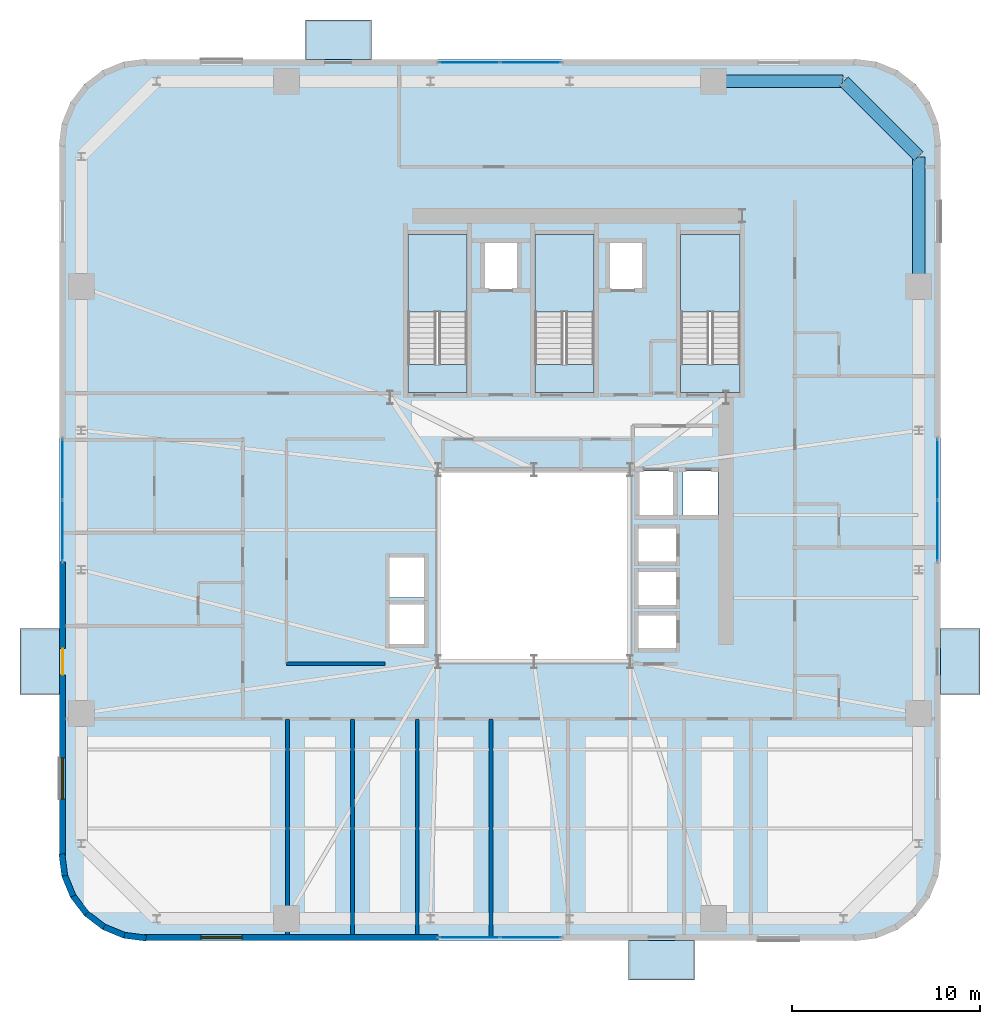
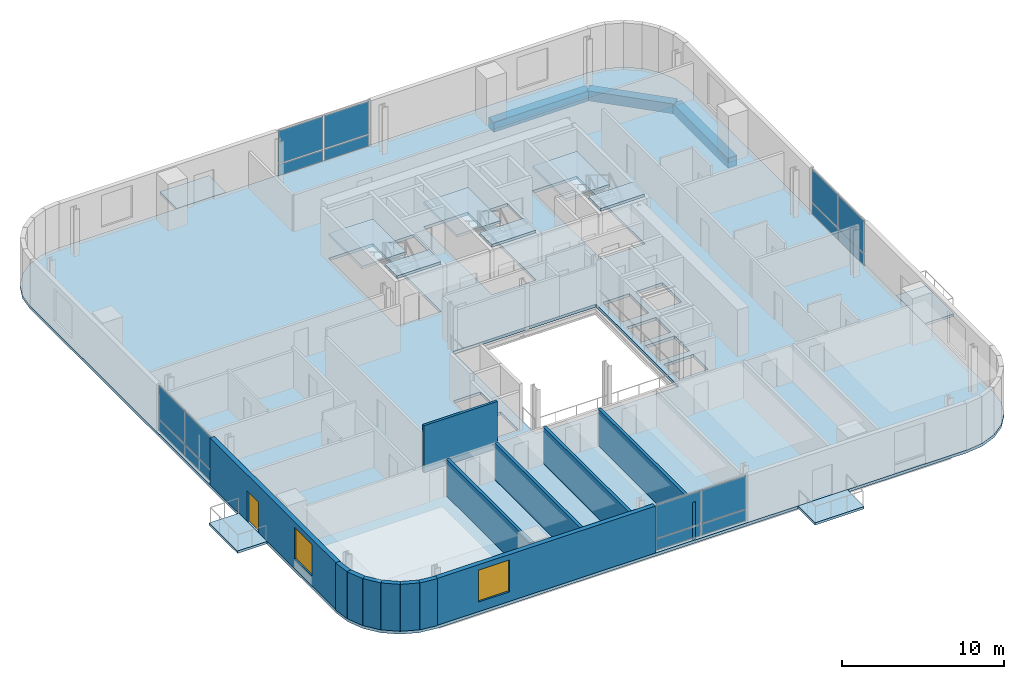
# One storey, part 7 of 16: 16 plates, 13 walls, 11 slabs, 3 beams, 2 windows, 1 door, 3 openings, 7 elements without a shape of their own.
"""IFC4 building model written with IfcOpenShell, lengths in metres."""

import ifcopenshell
import ifcopenshell.guid

model = None  # the IFC model being written
_history = None  # IfcOwnerHistory: only IFC2X3 demands one
_inside = {}  # id of a spatial element -> (the spatial element, [elements in it])
_under = {}  # id of a project, library or spatial element -> (it, [spatial elements below it])
_declared = {}  # id of a project -> (the project, [libraries it declares])
_typed = {}  # id of a type object -> (the type object, [elements of that type])
_made_of = {}  # id of a material, layer set ... -> (it, [elements and type objects made of it])


def new_model(schema):
    """Start an empty IFC model of exactly this schema.

    Asked for "IFC4X3", IfcOpenShell would pick the latest addendum, in which some entities
    have other attributes; the version numbers below select the first issue.
    IFC2X3 requires an IfcOwnerHistory on every rooted entity: one is made here for all.
    """
    global model, _history
    if schema == "IFC4X3":
        model = ifcopenshell.file(schema_version=(4, 3, 0, 0))
    else:
        model = ifcopenshell.file(schema=schema)
    _inside.clear()
    _under.clear()
    _declared.clear()
    _typed.clear()
    _made_of.clear()
    _history = None
    if model.schema == "IFC2X3":
        org = make("IfcOrganization", Name="unknown")
        user = make(
            "IfcPersonAndOrganization",
            ThePerson=make("IfcPerson", FamilyName="unknown"),
            TheOrganization=org,
        )
        app = make(
            "IfcApplication",
            ApplicationDeveloper=org,
            Version="unknown",
            ApplicationFullName="unknown",
            ApplicationIdentifier="unknown",
        )
        _history = make(
            "IfcOwnerHistory",
            OwningUser=user,
            OwningApplication=app,
            ChangeAction="ADDED",
            CreationDate=0,
        )
    return model


def make(cls, **values):
    """One entity of the class cls with the attributes given. An attribute that is None is left unset."""
    return model.create_entity(
        cls, **{name: value for name, value in values.items() if value is not None}
    )


def rooted(cls, **values):
    """An entity with a GlobalId (a new one), such as an element, a storey or a relation."""
    return make(cls, GlobalId=ifcopenshell.guid.new(), OwnerHistory=_history, **values)


def si_unit(unit_type, name, prefix=None):
    """IfcSIUnit, for example si_unit("LENGTHUNIT", "METRE", prefix="MILLI")."""
    return make("IfcSIUnit", UnitType=unit_type, Prefix=prefix, Name=name)


def assignment(units):
    """IfcUnitAssignment: the units of a project."""
    return None if units is None else make("IfcUnitAssignment", Units=units)


def point(xyz):
    """IfcCartesianPoint."""
    return None if xyz is None else make("IfcCartesianPoint", Coordinates=xyz)


def direction(xyz):
    """IfcDirection."""
    return None if xyz is None else make("IfcDirection", DirectionRatios=xyz)


def frame(location, z_axis=None, x_axis=None):
    """IfcAxis2Placement3D, a coordinate frame: its origin and axes. An axis left out is left unset."""
    return make(
        "IfcAxis2Placement3D",
        Location=point(location),
        Axis=direction(z_axis),
        RefDirection=direction(x_axis),
    )


def frame_2d(location, x_axis=None):
    """IfcAxis2Placement2D, a coordinate frame in the plane: its origin and x axis."""
    return make(
        "IfcAxis2Placement2D", Location=point(location), RefDirection=direction(x_axis)
    )


def origin():
    """The frame at (0, 0, 0) with its axes left unset."""
    return frame((0.0, 0.0, 0.0))


def origin_2d():
    """The frame at (0, 0) in the plane with its x axis left unset."""
    return frame_2d((0.0, 0.0))


def place(relative_to, where):
    """IfcLocalPlacement: puts the frame where relative to a parent placement (None: the world)."""
    return make(
        "IfcLocalPlacement", PlacementRelTo=relative_to, RelativePlacement=where
    )


def context(
    kind, dimensions, precision=None, world=None, true_north=None, identifier=None
):
    """IfcGeometricRepresentationContext, for example the 3D "Model" context."""
    return make(
        "IfcGeometricRepresentationContext",
        ContextIdentifier=identifier,
        ContextType=kind,
        CoordinateSpaceDimension=dimensions,
        Precision=precision,
        WorldCoordinateSystem=world,
        TrueNorth=true_north,
    )


def subcontext(parent, identifier, kind, view, scale=None):
    """IfcGeometricRepresentationSubContext, for example "Body" below "Model"."""
    return make(
        "IfcGeometricRepresentationSubContext",
        ContextIdentifier=identifier,
        ContextType=kind,
        ParentContext=parent,
        TargetScale=scale,
        TargetView=view,
    )


def project(units=None, contexts=None):
    """IfcProject with its units and contexts."""
    return rooted(
        "IfcProject",
        Name="project",
        RepresentationContexts=contexts,
        UnitsInContext=assignment(units),
    )


def spatial(cls, under=None, at=None, **own):
    """A site, building, storey or space (cls), placed at a placement, below another one or the project."""
    s = rooted(cls, ObjectPlacement=at, **own)
    if under is not None:
        _under.setdefault(under.id(), (under, []))[1].append(s)
    return s


def polyline(points):
    """IfcPolyline through the points."""
    return make("IfcPolyline", Points=[point(p) for p in points])


def profile(cls, at=None, kind="AREA", **sizes):
    """A parametric profile (cls). Its sizes go by their IFC names, for example OverallWidth=200.0."""
    return make(cls, ProfileType=kind, Position=at, **sizes)


def rectangle(**sizes):
    """IfcRectangleProfileDef."""
    return profile("IfcRectangleProfileDef", **sizes)


def outline(outer, holes=None, kind="AREA"):
    """IfcArbitraryClosedProfileDef: a profile drawn as a closed curve; with holes, ...WithVoids."""
    if holes is None:
        return make("IfcArbitraryClosedProfileDef", ProfileType=kind, OuterCurve=outer)
    return make(
        "IfcArbitraryProfileDefWithVoids",
        ProfileType=kind,
        OuterCurve=outer,
        InnerCurves=holes,
    )


def extrude(swept, where, along, depth):
    """IfcExtrudedAreaSolid: the profile swept, set in the frame where, extruded along a direction by depth."""
    return make(
        "IfcExtrudedAreaSolid",
        SweptArea=swept,
        Position=where,
        ExtrudedDirection=direction(along),
        Depth=depth,
    )


def shape(context_of_items, identifier, shape_type, items):
    """IfcShapeRepresentation: the items that make up one representation, for example the "Body"."""
    return make(
        "IfcShapeRepresentation",
        ContextOfItems=context_of_items,
        RepresentationIdentifier=identifier,
        RepresentationType=shape_type,
        Items=items,
    )


def source(mapping_origin, context_of_items, identifier, shape_type, items):
    """IfcRepresentationMap: a shape defined once, which mapped items show again and again."""
    return make(
        "IfcRepresentationMap",
        MappingOrigin=mapping_origin,
        MappedRepresentation=shape(context_of_items, identifier, shape_type, items),
    )


def transform(
    local_origin,
    x_axis=None,
    y_axis=None,
    z_axis=None,
    scale=None,
    scale2=None,
    scale3=None,
    uniform=True,
):
    """IfcCartesianTransformationOperator3D, or its non-uniform kind. x_axis, y_axis, z_axis: its Axis1, 2, 3."""
    if uniform:
        return make(
            "IfcCartesianTransformationOperator3D",
            Axis1=direction(x_axis),
            Axis2=direction(y_axis),
            LocalOrigin=point(local_origin),
            Scale=scale,
            Axis3=direction(z_axis),
        )
    return make(
        "IfcCartesianTransformationOperator3DnonUniform",
        Axis1=direction(x_axis),
        Axis2=direction(y_axis),
        LocalOrigin=point(local_origin),
        Scale=scale,
        Axis3=direction(z_axis),
        Scale2=scale2,
        Scale3=scale3,
    )


def mapped(mapping_source, mapping_target):
    """IfcMappedItem: shows the shape of a source again, moved by a transform."""
    return make(
        "IfcMappedItem", MappingSource=mapping_source, MappingTarget=mapping_target
    )


def material(Name=None, Category=None):
    """IfcMaterial."""
    return make("IfcMaterial", Name=Name, Category=Category)


def layer(
    of_material, thickness, ventilated=None, Name=None, Category=None, Priority=None
):
    """IfcMaterialLayer: one layer of a wall or slab, of a material (None: an air gap)."""
    return make(
        "IfcMaterialLayer",
        Material=of_material,
        LayerThickness=thickness,
        IsVentilated=ventilated,
        Name=Name,
        Category=Category,
        Priority=Priority,
    )


def layer_set(layers, Name=None):
    """IfcMaterialLayerSet."""
    return make("IfcMaterialLayerSet", MaterialLayers=layers, LayerSetName=Name)


def material_profile(
    of_material, cross_section, Name=None, Category=None, Priority=None
):
    """IfcMaterialProfile: a cross section and its material."""
    return make(
        "IfcMaterialProfile",
        Name=Name,
        Material=of_material,
        Profile=cross_section,
        Priority=Priority,
        Category=Category,
    )


def profile_set(profiles, Name=None, composite=None):
    """IfcMaterialProfileSet."""
    return make(
        "IfcMaterialProfileSet",
        Name=Name,
        MaterialProfiles=profiles,
        CompositeProfile=composite,
    )


def made_of(thing, what):
    """Note that an element or type object is made of a material, layer set ...; save() writes the relation."""
    if what is not None:
        _made_of.setdefault(what.id(), (what, []))[1].append(thing)
    return thing


def type_object(cls, material=None, **own):
    """A type object (cls), such as IfcWallType, which elements share."""
    return made_of(rooted(cls, **own), material)


def element(
    cls,
    number,
    at=None,
    inside=None,
    cuts=None,
    type_object=None,
    material=None,
    context=None,
    identifier="Body",
    shape_type=None,
    held_by="IfcProductDefinitionShape",
    body=None,
    shapes=None,
    **own,
):
    """One element of the class cls, such as IfcWall. Its Tag is "e" and its number.

    at: its placement. inside: the storey or other place that contains it. cuts: it is an
    opening in that element (IfcRelVoidsElement). A single representation is given by context,
    identifier, shape_type and body (its items); several are given by shapes. held_by: the class
    of the entity that holds the representations. save() writes the other relations.
    """
    e = rooted(cls, Tag="e%d" % number, ObjectPlacement=at, **own)
    if body is not None:
        shapes = [shape(context, identifier, shape_type, body)]
    if shapes is not None:
        e.Representation = make(held_by, Representations=shapes)
    if inside is not None:
        _inside.setdefault(inside.id(), (inside, []))[1].append(e)
    if cuts is not None:
        rooted(
            "IfcRelVoidsElement", RelatingBuildingElement=cuts, RelatedOpeningElement=e
        )
    if type_object is not None:
        _typed.setdefault(type_object.id(), (type_object, []))[1].append(e)
    return made_of(e, material)


def fill(opening, filler):
    """IfcRelFillsElement: the door or window that sits in an opening."""
    return rooted(
        "IfcRelFillsElement",
        RelatingOpeningElement=opening,
        RelatedBuildingElement=filler,
    )


def aggregate(whole, parts):
    """IfcRelAggregates: a whole, such as a stair, and the parts it consists of."""
    return rooted("IfcRelAggregates", RelatingObject=whole, RelatedObjects=parts)


def save(model, path):
    """Write the relations noted so far, then the file.

    IfcRelAggregates (storeys below a building ...), IfcRelContainedInSpatialStructure (elements
    in a storey), IfcRelDefinesByType, IfcRelAssociatesMaterial and IfcRelDeclares: one each for
    every whole, place, type object, material and project.
    """
    for whole, parts in _under.values():
        aggregate(whole, parts)
    for where, things in _inside.values():
        rooted(
            "IfcRelContainedInSpatialStructure",
            RelatedElements=things,
            RelatingStructure=where,
        )
    for kind, things in _typed.values():
        rooted("IfcRelDefinesByType", RelatedObjects=things, RelatingType=kind)
    for what, things in _made_of.values():
        rooted("IfcRelAssociatesMaterial", RelatedObjects=things, RelatingMaterial=what)
    for by, libraries in _declared.values():
        rooted("IfcRelDeclares", RelatingContext=by, RelatedDefinitions=libraries)
    model.write(path)


model = new_model("IFC4")

# Units and contexts
model_context = context("Model", 3, precision=1e-05, world=origin(), true_north=direction((0.0, 1.0)))
body_context = subcontext(model_context, "Body", "Model", "MODEL_VIEW")
ifc_project = project(units=[si_unit("LENGTHUNIT", "METRE"), si_unit("AREAUNIT", "SQUARE_METRE"), si_unit("VOLUMEUNIT", "CUBIC_METRE"), si_unit("PLANEANGLEUNIT", "RADIAN"), si_unit("MASSUNIT", "GRAM", prefix="KILO")], contexts=[model_context])

# Site, building, storey
site_placement = place(None, origin())
site = spatial("IfcSite", under=ifc_project, at=site_placement, CompositionType="ELEMENT")
building_placement = place(site_placement, origin())
building = spatial("IfcBuilding", under=site, at=building_placement, Name="Vardaveli Station Tower", CompositionType="ELEMENT")
storey_placement = place(building_placement, frame((0.0, 0.0, 222.300048828125)))
storey = spatial("IfcBuildingStorey", under=building, at=storey_placement, Name="L57", CompositionType="ELEMENT", Elevation=222.300048828125)

# Beams
ifc_material_1 = material(Name="Precast concrete C45/55", Category="concrete")
ifc_material_profile = material_profile(ifc_material_1, rectangle(XDim=0.64990234375, YDim=0.75, at=origin_2d()), Name="LPB 650x750")
ifc_profile_set = profile_set([ifc_material_profile], Name="Precast concrete C45/55")
beam_type = type_object("IfcBeamType", Name="BM-LPB-750", PredefinedType="BEAM", material=ifc_profile_set)
shared_shape_1 = source(origin(), body_context, "Body", "SweptSolid", [
    extrude(rectangle(XDim=0.64990234375, YDim=0.75, at=origin_2d()), origin(), (0.0, 0.0, 1.0), 6.869873046875),
])
for number, where, z_axis, x_axis, name in (
    (1, (56.75, 36.56005859375, -0.594970703125), (0.0, 1.0, 0.0), (-1.0, 0.0, 0.0), "RBM-L57-10"),
    (2, (52.72998046875, 47.449951171875, -0.594970703125), (-1.0, 0.0, 0.0), (0.0, -1.0, 0.0), "RBM-L57-12"),
):
    element("IfcBeam", number, at=place(storey_placement, frame(where, z_axis=z_axis, x_axis=x_axis)), inside=storey, type_object=beam_type, Name=name, PredefinedType="BEAM", context=body_context, shape_type="MappedRepresentation", body=[
        mapped(shared_shape_1, transform((0.0, 0.0, 0.0), scale=1.0)),
    ])
shared_shape_2 = source(origin(), body_context, "Body", "SweptSolid", [
    extrude(rectangle(XDim=0.64990234375, YDim=0.75, at=origin_2d()), origin(), (0.0, 0.0, 1.0), 5.61669921875),
])
beam_placement = place(storey_placement, frame((56.73583984375, 43.464111328125, -0.594970703125), z_axis=(-0.707106781187, 0.707106781187, 0.0), x_axis=(-0.707106781187, -0.707106781187, 0.0)))
element("IfcBeam", 3, at=beam_placement, inside=storey, type_object=beam_type, Name="RBM-L57-11", PredefinedType="BEAM", context=body_context, shape_type="MappedRepresentation", body=[
    mapped(shared_shape_2, transform((0.0, 0.0, 0.0), scale=1.0)),
])

# Stair, slabs
ifc_material_2 = material(Name="Concrete C40/50", Category="concrete")
stair_type = type_object("IfcStairType", Name="STR-CORE-1500", PredefinedType="HALF_TURN_STAIR", material=ifc_material_2)
stair_1_placement = place(storey_placement, origin())
stair_1 = element("IfcStair", 4, at=stair_1_placement, inside=storey, type_object=stair_type, Name="L57 ST-1", PredefinedType="HALF_TURN_STAIR")
ifc_layer_1 = layer(ifc_material_2, 0.199951171875, Name="Concrete C40/50")
ifc_layer_set_1 = layer_set([ifc_layer_1], Name="Concrete C40/50")
slab_type_1 = type_object("IfcSlabType", Name="SLB-LAND-200", PredefinedType="LANDING", material=ifc_layer_set_1)
slab_1_placement = place(storey_placement, frame((0.0, 0.0, 1.675048828125)))
slab_1 = element("IfcSlab", 5, at=slab_1_placement, type_object=slab_type_1, Name="ST-1 landing 1", PredefinedType="LANDING", context=body_context, shape_type="SweptSolid", body=[
    extrude(outline(polyline([(32.75, 35.199951171875), (32.75, 39.300048828125), (29.60009765625, 39.300048828125), (29.60009765625, 35.199951171875), (32.75, 35.199951171875)])), origin(), (0.0, 0.0, 1.0), 0.199951171875),
])
slab_2_placement = place(storey_placement, frame((0.0, 0.0, 3.550048828125)))
slab_2 = element("IfcSlab", 6, at=slab_2_placement, type_object=slab_type_1, Name="ST-1 landing 2", PredefinedType="LANDING", context=body_context, shape_type="SweptSolid", body=[
    extrude(outline(polyline([(32.75, 30.89990234375), (32.75, 32.39990234375), (29.60009765625, 32.39990234375), (29.60009765625, 30.89990234375), (32.75, 30.89990234375)])), origin(), (0.0, 0.0, 1.0), 0.199951171875),
])
aggregate(stair_1, [slab_1, slab_2])

stair_2_placement = place(storey_placement, origin())
stair_2 = element("IfcStair", 7, at=stair_2_placement, inside=storey, type_object=stair_type, Name="L57 ST-2", PredefinedType="HALF_TURN_STAIR")
slab_3_placement = place(storey_placement, frame((0.0, 0.0, 1.675048828125)))
slab_3 = element("IfcSlab", 8, at=slab_3_placement, type_object=slab_type_1, Name="ST-2 landing 1", PredefinedType="LANDING", context=body_context, shape_type="SweptSolid", body=[
    extrude(outline(polyline([(39.5, 35.199951171875), (39.5, 39.300048828125), (36.35009765625, 39.300048828125), (36.35009765625, 35.199951171875), (39.5, 35.199951171875)])), origin(), (0.0, 0.0, 1.0), 0.199951171875),
])
slab_4_placement = place(storey_placement, frame((0.0, 0.0, 3.550048828125)))
slab_4 = element("IfcSlab", 9, at=slab_4_placement, type_object=slab_type_1, Name="ST-2 landing 2", PredefinedType="LANDING", context=body_context, shape_type="SweptSolid", body=[
    extrude(outline(polyline([(39.5, 30.89990234375), (39.5, 32.39990234375), (36.35009765625, 32.39990234375), (36.35009765625, 30.89990234375), (39.5, 30.89990234375)])), origin(), (0.0, 0.0, 1.0), 0.199951171875),
])
aggregate(stair_2, [slab_3, slab_4])

stair_3_placement = place(storey_placement, origin())
stair_3 = element("IfcStair", 10, at=stair_3_placement, inside=storey, type_object=stair_type, Name="L57 ST-3", PredefinedType="HALF_TURN_STAIR")
slab_5_placement = place(storey_placement, frame((0.0, 0.0, 1.675048828125)))
slab_5 = element("IfcSlab", 11, at=slab_5_placement, type_object=slab_type_1, Name="ST-3 landing 1", PredefinedType="LANDING", context=body_context, shape_type="SweptSolid", body=[
    extrude(outline(polyline([(47.25, 35.199951171875), (47.25, 39.300048828125), (44.10009765625, 39.300048828125), (44.10009765625, 35.199951171875), (47.25, 35.199951171875)])), origin(), (0.0, 0.0, 1.0), 0.199951171875),
])
slab_6_placement = place(storey_placement, frame((0.0, 0.0, 3.550048828125)))
slab_6 = element("IfcSlab", 12, at=slab_6_placement, type_object=slab_type_1, Name="ST-3 landing 2", PredefinedType="LANDING", context=body_context, shape_type="SweptSolid", body=[
    extrude(outline(polyline([(47.25, 30.89990234375), (47.25, 32.39990234375), (44.10009765625, 32.39990234375), (44.10009765625, 30.89990234375), (47.25, 30.89990234375)])), origin(), (0.0, 0.0, 1.0), 0.199951171875),
])
aggregate(stair_3, [slab_5, slab_6])

# Slabs
ifc_layer_2 = layer(ifc_material_1, 0.179931640625, Name="Precast concrete C45/55")
ifc_layer_set_2 = layer_set([ifc_layer_2], Name="Precast concrete C45/55")
slab_type_2 = type_object("IfcSlabType", Name="SLB-LOGGIA-180", PredefinedType="FLOOR", material=ifc_layer_set_2)
slab_7_placement = place(storey_placement, frame((0.0, 0.0, -0.179931640625)))
element("IfcSlab", 13, at=slab_7_placement, inside=storey, type_object=slab_type_2, Name="LOG-L57-S", PredefinedType="FLOOR", context=body_context, shape_type="SweptSolid", body=[
    extrude(outline(polyline([(41.339599609375, -0.300048828125), (44.839599609375, -0.300048828125), (44.839599609375, 1.800048828125), (41.339599609375, 1.800048828125), (41.339599609375, -0.300048828125)])), origin(), (0.0, 0.0, 1.0), 0.179931640625),
])
slab_8_placement = place(storey_placement, frame((0.0, 0.0, -0.179931640625)))
element("IfcSlab", 14, at=slab_8_placement, inside=storey, type_object=slab_type_2, Name="LOG-L57-N", PredefinedType="FLOOR", context=body_context, shape_type="SweptSolid", body=[
    extrude(outline(polyline([(24.160400390625, 48.60009765625), (27.660400390625, 48.60009765625), (27.660400390625, 50.699951171875), (24.160400390625, 50.699951171875), (24.160400390625, 48.60009765625)])), origin(), (0.0, 0.0, 1.0), 0.179931640625),
])
slab_9_placement = place(storey_placement, frame((0.0, 0.0, -0.179931640625)))
element("IfcSlab", 15, at=slab_9_placement, inside=storey, type_object=slab_type_2, Name="LOG-L57-W", PredefinedType="FLOOR", context=body_context, shape_type="SweptSolid", body=[
    extrude(outline(polyline([(9.0, 14.8603515625), (11.10009765625, 14.8603515625), (11.10009765625, 18.3603515625), (9.0, 18.3603515625), (9.0, 14.8603515625)])), origin(), (0.0, 0.0, 1.0), 0.179931640625),
])
slab_10_placement = place(storey_placement, frame((0.0, 0.0, -0.179931640625)))
element("IfcSlab", 16, at=slab_10_placement, inside=storey, type_object=slab_type_2, Name="LOG-L57-E", PredefinedType="FLOOR", context=body_context, shape_type="SweptSolid", body=[
    extrude(outline(polyline([(57.89990234375, 14.8603515625), (60.0, 14.8603515625), (60.0, 18.3603515625), (57.89990234375, 18.3603515625), (57.89990234375, 14.8603515625)])), origin(), (0.0, 0.0, 1.0), 0.179931640625),
])
ifc_layer_3 = layer(ifc_material_2, 0.219970703125, Name="Concrete C40/50")
ifc_layer_set_3 = layer_set([ifc_layer_3], Name="Concrete C40/50")
slab_type_3 = type_object("IfcSlabType", Name="SLB-TOW-220", PredefinedType="FLOOR", material=ifc_layer_set_3)
slab_11_placement = place(storey_placement, frame((0.0, 0.0, -0.219970703125)))
element("IfcSlab", 17, at=slab_11_placement, inside=storey, type_object=slab_type_3, Name="SLB-L57-MAIN", PredefinedType="FLOOR", context=body_context, shape_type="SweptSolid", body=[
    extrude(outline(polyline([(11.10009765625, 6.300048828125), (11.25341796875, 5.13525390625), (11.702880859375, 4.050048828125), (12.41796875, 3.117919921875), (13.35009765625, 2.40283203125), (14.435302734375, 1.953369140625), (15.60009765625, 1.800048828125), (53.39990234375, 1.800048828125), (54.564697265625, 1.953369140625), (55.64990234375, 2.40283203125), (56.58203125, 3.117919921875), (57.297119140625, 4.050048828125), (57.74658203125, 5.13525390625), (57.89990234375, 6.300048828125), (57.89990234375, 44.10009765625), (57.74658203125, 45.2646484375), (57.297119140625, 46.35009765625), (56.58203125, 47.281982421875), (55.64990234375, 47.9970703125), (54.564697265625, 48.44677734375), (53.39990234375, 48.60009765625), (15.60009765625, 48.60009765625), (14.435302734375, 48.44677734375), (13.35009765625, 47.9970703125), (12.41796875, 47.281982421875), (11.702880859375, 46.35009765625), (11.25341796875, 45.2646484375), (11.10009765625, 44.10009765625), (11.10009765625, 6.300048828125)]), holes=[polyline([(31.199951171875, 16.60009765625), (41.39990234375, 16.60009765625), (41.39990234375, 26.800048828125), (31.199951171875, 26.800048828125), (31.199951171875, 16.60009765625)]), polyline([(32.75, 30.89990234375), (32.75, 39.300048828125), (29.60009765625, 39.300048828125), (29.60009765625, 30.89990234375), (32.75, 30.89990234375)]), polyline([(39.5, 30.89990234375), (39.5, 39.300048828125), (36.35009765625, 39.300048828125), (36.35009765625, 30.89990234375), (39.5, 30.89990234375)]), polyline([(47.25, 30.89990234375), (47.25, 39.300048828125), (44.10009765625, 39.300048828125), (44.10009765625, 30.89990234375), (47.25, 30.89990234375)]), polyline([(33.659912109375, 36.409912109375), (35.43994140625, 36.409912109375), (35.43994140625, 38.889892578125), (33.659912109375, 38.889892578125), (33.659912109375, 36.409912109375)]), polyline([(40.31005859375, 36.409912109375), (42.090087890625, 36.409912109375), (42.090087890625, 38.889892578125), (40.31005859375, 38.889892578125), (40.31005859375, 36.409912109375)]), polyline([(41.81005859375, 21.885009765625), (43.889892578125, 21.885009765625), (43.889892578125, 23.715087890625), (41.81005859375, 23.715087890625), (41.81005859375, 21.885009765625)]), polyline([(41.81005859375, 19.5849609375), (43.889892578125, 19.5849609375), (43.889892578125, 21.4150390625), (41.81005859375, 21.4150390625), (41.81005859375, 19.5849609375)]), polyline([(41.81005859375, 17.284912109375), (43.889892578125, 17.284912109375), (43.889892578125, 19.114990234375), (41.81005859375, 19.114990234375), (41.81005859375, 17.284912109375)]), polyline([(28.5849609375, 17.510009765625), (30.514892578125, 17.510009765625), (30.514892578125, 19.68994140625), (28.5849609375, 19.68994140625), (28.5849609375, 17.510009765625)]), polyline([(28.5849609375, 20.010009765625), (30.514892578125, 20.010009765625), (30.514892578125, 22.18994140625), (28.5849609375, 22.18994140625), (28.5849609375, 20.010009765625)]), polyline([(41.860107421875, 24.360107421875), (43.739990234375, 24.360107421875), (43.739990234375, 26.739990234375), (41.860107421875, 26.739990234375), (41.860107421875, 24.360107421875)]), polyline([(44.2099609375, 24.360107421875), (46.090087890625, 24.360107421875), (46.090087890625, 26.739990234375), (44.2099609375, 26.739990234375), (44.2099609375, 24.360107421875)])]), origin(), (0.0, 0.0, 1.0), 0.219970703125),
])

# Curtain wall, plates
ifc_material_3 = material(Name="Travertine stone and solar-control glass", Category="masonry")
curtain_wall_type = type_object("IfcCurtainWallType", Name="CW-SYS-5", PredefinedType="NOTDEFINED", material=ifc_material_3)
curtain_wall_1_placement = place(storey_placement, origin())
curtain_wall_1 = element("IfcCurtainWall", 18, at=curtain_wall_1_placement, inside=storey, type_object=curtain_wall_type, Name="CW-L57-S", PredefinedType="NOTDEFINED")
ifc_material_4 = material(Name="Double-glazed low-E solar-control glass", Category="glass")
ifc_layer_4 = layer(ifc_material_4, 0.031982421875, Name="Double-glazed low-E solar-control glass")
ifc_layer_set_4 = layer_set([ifc_layer_4], Name="Double-glazed low-E solar-control glass")
plate_type = type_object("IfcPlateType", Name="CW-SYS-5-PAN", PredefinedType="CURTAIN_PANEL", material=ifc_layer_set_4)
shared_shape_3 = source(origin(), body_context, "Body", "SweptSolid", [
    extrude(rectangle(XDim=3.179931640625, YDim=0.031982421875, at=origin_2d()), origin(), (0.0, 0.0, 1.0), 0.830078125),
])
plate_1_placement = place(storey_placement, frame((32.8701171875, 1.9599609375, 0.079833984375), z_axis=(0.0, 0.0, 1.0), x_axis=(1.0, 0.0, 0.0)))
plate_1 = element("IfcPlate", 19, at=plate_1_placement, type_object=plate_type, Name="CW-5 panel 1.1", PredefinedType="CURTAIN_PANEL", context=body_context, shape_type="MappedRepresentation", body=[
    mapped(shared_shape_3, transform((0.0, 0.0, 0.0), scale=1.0)),
])
plate_2_placement = place(storey_placement, frame((36.1298828125, 1.9599609375, 0.079833984375), z_axis=(0.0, 0.0, 1.0), x_axis=(1.0, 0.0, 0.0)))
plate_2 = element("IfcPlate", 20, at=plate_2_placement, type_object=plate_type, Name="CW-5 panel 2.1", PredefinedType="CURTAIN_PANEL", context=body_context, shape_type="MappedRepresentation", body=[
    mapped(shared_shape_3, transform((0.0, 0.0, 0.0), scale=1.0)),
])

curtain_wall_2_placement = place(storey_placement, origin())
curtain_wall_2 = element("IfcCurtainWall", 21, at=curtain_wall_2_placement, inside=storey, type_object=curtain_wall_type, Name="CW-L57-N", PredefinedType="NOTDEFINED")
plate_3_placement = place(storey_placement, frame((36.1298828125, 48.43994140625, 0.079833984375), z_axis=(0.0, 0.0, 1.0), x_axis=(-1.0, 0.0, 0.0)))
plate_3 = element("IfcPlate", 22, at=plate_3_placement, type_object=plate_type, Name="CW-5 panel 1.1", PredefinedType="CURTAIN_PANEL", context=body_context, shape_type="MappedRepresentation", body=[
    mapped(shared_shape_3, transform((0.0, 0.0, 0.0), scale=1.0)),
])
plate_4_placement = place(storey_placement, frame((32.8701171875, 48.43994140625, 0.079833984375), z_axis=(0.0, 0.0, 1.0), x_axis=(-1.0, 0.0, 0.0)))
plate_4 = element("IfcPlate", 23, at=plate_4_placement, type_object=plate_type, Name="CW-5 panel 2.1", PredefinedType="CURTAIN_PANEL", context=body_context, shape_type="MappedRepresentation", body=[
    mapped(shared_shape_3, transform((0.0, 0.0, 0.0), scale=1.0)),
])

curtain_wall_3_placement = place(storey_placement, origin())
curtain_wall_3 = element("IfcCurtainWall", 24, at=curtain_wall_3_placement, inside=storey, type_object=curtain_wall_type, Name="CW-L57-W", PredefinedType="NOTDEFINED")
plate_5_placement = place(storey_placement, frame((11.260009765625, 26.830078125, 0.079833984375), z_axis=(0.0, 0.0, 1.0), x_axis=(0.0, -1.0, 0.0)))
plate_5 = element("IfcPlate", 25, at=plate_5_placement, type_object=plate_type, Name="CW-5 panel 1.1", PredefinedType="CURTAIN_PANEL", context=body_context, shape_type="MappedRepresentation", body=[
    mapped(shared_shape_3, transform((0.0, 0.0, 0.0), scale=1.0)),
])
plate_6_placement = place(storey_placement, frame((11.260009765625, 23.570068359375, 0.079833984375), z_axis=(0.0, 0.0, 1.0), x_axis=(0.0, -1.0, 0.0)))
plate_6 = element("IfcPlate", 26, at=plate_6_placement, type_object=plate_type, Name="CW-5 panel 2.1", PredefinedType="CURTAIN_PANEL", context=body_context, shape_type="MappedRepresentation", body=[
    mapped(shared_shape_3, transform((0.0, 0.0, 0.0), scale=1.0)),
])

curtain_wall_4_placement = place(storey_placement, origin())
curtain_wall_4 = element("IfcCurtainWall", 27, at=curtain_wall_4_placement, inside=storey, type_object=curtain_wall_type, Name="CW-L57-E", PredefinedType="NOTDEFINED")
plate_7_placement = place(storey_placement, frame((57.739990234375, 23.570068359375, 0.079833984375), z_axis=(0.0, 0.0, 1.0), x_axis=(0.0, 1.0, 0.0)))
plate_7 = element("IfcPlate", 28, at=plate_7_placement, type_object=plate_type, Name="CW-5 panel 1.1", PredefinedType="CURTAIN_PANEL", context=body_context, shape_type="MappedRepresentation", body=[
    mapped(shared_shape_3, transform((0.0, 0.0, 0.0), scale=1.0)),
])
plate_8_placement = place(storey_placement, frame((57.739990234375, 26.830078125, 0.079833984375), z_axis=(0.0, 0.0, 1.0), x_axis=(0.0, 1.0, 0.0)))
plate_8 = element("IfcPlate", 29, at=plate_8_placement, type_object=plate_type, Name="CW-5 panel 2.1", PredefinedType="CURTAIN_PANEL", context=body_context, shape_type="MappedRepresentation", body=[
    mapped(shared_shape_3, transform((0.0, 0.0, 0.0), scale=1.0)),
])

# Plate
shared_shape_4 = source(origin(), body_context, "Body", "SweptSolid", [
    extrude(rectangle(XDim=3.179931640625, YDim=0.031982421875, at=origin_2d()), origin(), (0.0, 0.0, 1.0), 2.4599609375),
])
plate_9_placement = place(storey_placement, frame((32.8701171875, 1.9599609375, 0.989990234375), z_axis=(0.0, 0.0, 1.0), x_axis=(1.0, 0.0, 0.0)))
plate_9 = element("IfcPlate", 30, at=plate_9_placement, type_object=plate_type, Name="CW-5 panel 1.2", PredefinedType="CURTAIN_PANEL", context=body_context, shape_type="MappedRepresentation", body=[
    mapped(shared_shape_4, transform((0.0, 0.0, 0.0), scale=1.0)),
])

plate_10_placement = place(storey_placement, frame((36.1298828125, 1.9599609375, 0.989990234375), z_axis=(0.0, 0.0, 1.0), x_axis=(1.0, 0.0, 0.0)))
plate_10 = element("IfcPlate", 31, at=plate_10_placement, type_object=plate_type, Name="CW-5 panel 2.2", PredefinedType="CURTAIN_PANEL", context=body_context, shape_type="MappedRepresentation", body=[
    mapped(shared_shape_4, transform((0.0, 0.0, 0.0), scale=1.0)),
])

aggregate(curtain_wall_1, [plate_1, plate_9, plate_2, plate_10])

plate_11_placement = place(storey_placement, frame((36.1298828125, 48.43994140625, 0.989990234375), z_axis=(0.0, 0.0, 1.0), x_axis=(-1.0, 0.0, 0.0)))
plate_11 = element("IfcPlate", 32, at=plate_11_placement, type_object=plate_type, Name="CW-5 panel 1.2", PredefinedType="CURTAIN_PANEL", context=body_context, shape_type="MappedRepresentation", body=[
    mapped(shared_shape_4, transform((0.0, 0.0, 0.0), scale=1.0)),
])

plate_12_placement = place(storey_placement, frame((32.8701171875, 48.43994140625, 0.989990234375), z_axis=(0.0, 0.0, 1.0), x_axis=(-1.0, 0.0, 0.0)))
plate_12 = element("IfcPlate", 33, at=plate_12_placement, type_object=plate_type, Name="CW-5 panel 2.2", PredefinedType="CURTAIN_PANEL", context=body_context, shape_type="MappedRepresentation", body=[
    mapped(shared_shape_4, transform((0.0, 0.0, 0.0), scale=1.0)),
])

aggregate(curtain_wall_2, [plate_3, plate_11, plate_4, plate_12])

plate_13_placement = place(storey_placement, frame((11.260009765625, 26.830078125, 0.989990234375), z_axis=(0.0, 0.0, 1.0), x_axis=(0.0, -1.0, 0.0)))
plate_13 = element("IfcPlate", 34, at=plate_13_placement, type_object=plate_type, Name="CW-5 panel 1.2", PredefinedType="CURTAIN_PANEL", context=body_context, shape_type="MappedRepresentation", body=[
    mapped(shared_shape_4, transform((0.0, 0.0, 0.0), scale=1.0)),
])

plate_14_placement = place(storey_placement, frame((11.260009765625, 23.570068359375, 0.989990234375), z_axis=(0.0, 0.0, 1.0), x_axis=(0.0, -1.0, 0.0)))
plate_14 = element("IfcPlate", 35, at=plate_14_placement, type_object=plate_type, Name="CW-5 panel 2.2", PredefinedType="CURTAIN_PANEL", context=body_context, shape_type="MappedRepresentation", body=[
    mapped(shared_shape_4, transform((0.0, 0.0, 0.0), scale=1.0)),
])

aggregate(curtain_wall_3, [plate_5, plate_13, plate_6, plate_14])

plate_15_placement = place(storey_placement, frame((57.739990234375, 23.570068359375, 0.989990234375), z_axis=(0.0, 0.0, 1.0), x_axis=(0.0, 1.0, 0.0)))
plate_15 = element("IfcPlate", 36, at=plate_15_placement, type_object=plate_type, Name="CW-5 panel 1.2", PredefinedType="CURTAIN_PANEL", context=body_context, shape_type="MappedRepresentation", body=[
    mapped(shared_shape_4, transform((0.0, 0.0, 0.0), scale=1.0)),
])

plate_16_placement = place(storey_placement, frame((57.739990234375, 26.830078125, 0.989990234375), z_axis=(0.0, 0.0, 1.0), x_axis=(0.0, 1.0, 0.0)))
plate_16 = element("IfcPlate", 37, at=plate_16_placement, type_object=plate_type, Name="CW-5 panel 2.2", PredefinedType="CURTAIN_PANEL", context=body_context, shape_type="MappedRepresentation", body=[
    mapped(shared_shape_4, transform((0.0, 0.0, 0.0), scale=1.0)),
])

aggregate(curtain_wall_4, [plate_7, plate_15, plate_8, plate_16])

# Wall, opening, window
ifc_layer_5 = layer(ifc_material_1, 0.320068359375, Name="Precast concrete C45/55")
ifc_layer_set_5 = layer_set([ifc_layer_5], Name="Precast concrete C45/55")
wall_type_1 = type_object("IfcWallType", Name="WAL-EXT-STONE-320", PredefinedType="SOLIDWALL", material=ifc_layer_set_5)
shared_shape_5 = source(origin(), body_context, "Body", "SweptSolid", [
    extrude(rectangle(XDim=15.599853515625, YDim=0.320068359375, at=frame_2d((7.7998046875, 0.0))), origin(), (0.0, 0.0, 1.0), 3.530029296875),
])
wall_1_placement = place(storey_placement, frame((15.60009765625, 1.9599609375, 0.0), z_axis=(0.0, 0.0, 1.0), x_axis=(1.0, 0.0, 0.0)))
wall_1 = element("IfcWall", 38, at=wall_1_placement, inside=storey, type_object=wall_type_1, Name="EW-L57-S1", PredefinedType="SOLIDWALL", context=body_context, shape_type="MappedRepresentation", body=[
    mapped(shared_shape_5, transform((0.0, 0.0, 0.0), scale=1.0)),
])
shared_shape_6 = source(origin(), body_context, "Body", "SweptSolid", [
    extrude(rectangle(XDim=2.199951171875, YDim=2.39990234375, at=frame_2d((1.10009765625, 1.199951171875))), frame((0.0, 0.169921875, 0.0), z_axis=(0.0, -1.0, 0.0), x_axis=(1.0, 0.0, 0.0)), (0.0, 0.0, 1.0), 0.340087890625),
])
opening_1_placement = place(wall_1_placement, frame((3.0048828125, 0.0, 0.719970703125)))
opening_1 = element("IfcOpeningElement", 39, at=opening_1_placement, cuts=wall_1, Name="Opening W-03", PredefinedType="OPENING", context=body_context, shape_type="MappedRepresentation", body=[
    mapped(shared_shape_6, transform((0.0, 0.0, 0.0), scale=1.0)),
])
ifc_material_5 = material(Name="Low-E solar-control glass", Category="glass")
window_type = type_object("IfcWindowType", Name="WIN-LOG-2200x2400", PartitioningType="SINGLE_PANEL", PredefinedType="WINDOW", material=ifc_material_5)
shared_shape_7 = source(origin(), body_context, "Body", "SweptSolid", [
    extrude(rectangle(XDim=2.199951171875, YDim=2.39990234375, at=frame_2d((1.10009765625, 1.199951171875))), frame((0.0, 0.030029296875, 0.0), z_axis=(0.0, -1.0, 0.0), x_axis=(1.0, 0.0, 0.0)), (0.0, 0.0, 1.0), 0.06005859375),
])
window_1_placement = place(opening_1_placement, origin())
window_1 = element("IfcWindow", 40, at=window_1_placement, inside=storey, type_object=window_type, Name="WN-L57-S1", OverallHeight=2.39990234375, OverallWidth=2.199951171875, PartitioningType="SINGLE_PANEL", PredefinedType="WINDOW", context=body_context, shape_type="MappedRepresentation", body=[
    mapped(shared_shape_7, transform((0.0, 0.0, 0.0), scale=1.0)),
])
fill(opening_1, window_1)

# Wall, openings, door, window
wall_2_placement = place(storey_placement, frame((11.260009765625, 21.89990234375, 0.0), z_axis=(0.0, 0.0, 1.0), x_axis=(0.0, -1.0, 0.0)))
wall_2 = element("IfcWall", 41, at=wall_2_placement, inside=storey, type_object=wall_type_1, Name="EW-L57-W2", PredefinedType="SOLIDWALL", context=body_context, shape_type="MappedRepresentation", body=[
    mapped(shared_shape_5, transform((0.0, 0.0, 0.0), scale=1.0)),
])
shared_shape_8 = source(origin(), body_context, "Body", "SweptSolid", [
    extrude(rectangle(XDim=1.39990234375, YDim=2.300048828125, at=frame_2d((0.699951171875, 1.14990234375))), frame((0.0, 0.169921875, 0.0), z_axis=(0.0, -1.0, 0.0), x_axis=(1.0, 0.0, 0.0)), (0.0, 0.0, 1.0), 0.340087890625),
])
opening_2_placement = place(wall_2_placement, frame((4.589599609375, 0.0, 0.0)))
opening_2 = element("IfcOpeningElement", 42, at=opening_2_placement, cuts=wall_2, Name="Opening D-09", PredefinedType="OPENING", context=body_context, shape_type="MappedRepresentation", body=[
    mapped(shared_shape_8, transform((0.0, 0.0, 0.0), scale=1.0)),
])
opening_3_placement = place(wall_2_placement, frame((10.39501953125, 0.0, 0.719970703125)))
opening_3 = element("IfcOpeningElement", 43, at=opening_3_placement, cuts=wall_2, Name="Opening W-03", PredefinedType="OPENING", context=body_context, shape_type="MappedRepresentation", body=[
    mapped(shared_shape_6, transform((0.0, 0.0, 0.0), scale=1.0)),
])
ifc_material_6 = material(Name="Thermally broken aluminium glass", Category="aluminium")
door_type = type_object("IfcDoorType", Name="DR-LOG-1400x2300", OperationType="DOUBLE_DOOR_SLIDING", PredefinedType="DOOR", material=ifc_material_6)
shared_shape_9 = source(origin(), body_context, "Body", "SweptSolid", [
    extrude(rectangle(XDim=1.39990234375, YDim=2.300048828125, at=frame_2d((0.699951171875, 1.14990234375))), frame((0.0, 0.02490234375, 0.0), z_axis=(0.0, -1.0, 0.0), x_axis=(1.0, 0.0, 0.0)), (0.0, 0.0, 1.0), 0.050048828125),
])
door_placement = place(opening_2_placement, frame((1.39990234375, 0.0, 0.0), z_axis=(0.0, 0.0, 1.0), x_axis=(-1.0, 0.0, 0.0)))
door = element("IfcDoor", 44, at=door_placement, inside=storey, type_object=door_type, Name="DLG-L57-W", OperationType="DOUBLE_DOOR_SLIDING", OverallHeight=2.300048828125, OverallWidth=1.39990234375, PredefinedType="DOOR", context=body_context, shape_type="MappedRepresentation", body=[
    mapped(shared_shape_9, transform((0.0, 0.0, 0.0), scale=1.0)),
])
fill(opening_2, door)
window_2_placement = place(opening_3_placement, origin())
window_2 = element("IfcWindow", 45, at=window_2_placement, inside=storey, type_object=window_type, Name="WN-L57-W2", OverallHeight=2.39990234375, OverallWidth=2.199951171875, PartitioningType="SINGLE_PANEL", PredefinedType="WINDOW", context=body_context, shape_type="MappedRepresentation", body=[
    mapped(shared_shape_7, transform((0.0, 0.0, 0.0), scale=1.0)),
])
fill(opening_3, window_2)

# Walls
shared_shape_10 = source(origin(), body_context, "Body", "SweptSolid", [
    extrude(rectangle(XDim=1.170654296875, YDim=0.320068359375, at=frame_2d((0.58544921875, 0.0))), origin(), (0.0, 0.0, 1.0), 3.530029296875),
])
wall_3_placement = place(storey_placement, frame((11.224365234375, 6.400634765625, 0.0), z_axis=(0.0, 0.0, 1.0), x_axis=(0.128269133229, -0.991739395941, 0.0)))
element("IfcWall", 46, at=wall_3_placement, inside=storey, type_object=wall_type_1, Name="EW-L57-CR1-1", PredefinedType="SOLIDWALL", context=body_context, shape_type="MappedRepresentation", body=[
    mapped(shared_shape_10, transform((0.0, 0.0, 0.0), scale=1.0)),
])
shared_shape_11 = source(origin(), body_context, "Body", "SweptSolid", [
    extrude(rectangle(XDim=1.1689453125, YDim=0.320068359375, at=frame_2d((0.58447265625, 0.0))), origin(), (0.0, 0.0, 1.0), 3.530029296875),
])
for number, where, z_axis, x_axis, name in (
    (47, (11.37451171875, 5.23974609375, 0.0), (0.0, 0.0, 1.0), (0.381127904695, -0.924522320046, 0.0), "EW-L57-CR1-2"),
    (48, (11.820068359375, 4.158935546875, 0.0), (0.0, 0.0, 1.0), (0.608387696831, -0.793639975269, 0.0), "EW-L57-CR1-3"),
):
    element("IfcWall", number, at=place(storey_placement, frame(where, z_axis=z_axis, x_axis=x_axis)), inside=storey, type_object=wall_type_1, Name=name, PredefinedType="SOLIDWALL", context=body_context, shape_type="MappedRepresentation", body=[
        mapped(shared_shape_11, transform((0.0, 0.0, 0.0), scale=1.0)),
    ])
shared_shape_12 = source(origin(), body_context, "Body", "SweptSolid", [
    extrude(rectangle(XDim=1.168701171875, YDim=0.320068359375, at=frame_2d((0.58447265625, 0.0))), origin(), (0.0, 0.0, 1.0), 3.530029296875),
])
wall_4_placement = place(storey_placement, frame((12.53125, 3.231201171875, 0.0), z_axis=(0.0, 0.0, 1.0), x_axis=(0.793663520347, -0.608356981114, 0.0)))
element("IfcWall", 49, at=wall_4_placement, inside=storey, type_object=wall_type_1, Name="EW-L57-CR1-4", PredefinedType="SOLIDWALL", context=body_context, shape_type="MappedRepresentation", body=[
    mapped(shared_shape_12, transform((0.0, 0.0, 0.0), scale=1.0)),
])
shared_shape_13 = source(origin(), body_context, "Body", "SweptSolid", [
    extrude(rectangle(XDim=1.16943359375, YDim=0.320068359375, at=frame_2d((0.584716796875, 0.0))), origin(), (0.0, 0.0, 1.0), 3.530029296875),
])
wall_5_placement = place(storey_placement, frame((13.458740234375, 2.520263671875, 0.0), z_axis=(0.0, 0.0, 1.0), x_axis=(0.924479075121, -0.381232789334, 0.0)))
element("IfcWall", 50, at=wall_5_placement, inside=storey, type_object=wall_type_1, Name="EW-L57-CR1-5", PredefinedType="SOLIDWALL", context=body_context, shape_type="MappedRepresentation", body=[
    mapped(shared_shape_13, transform((0.0, 0.0, 0.0), scale=1.0)),
])
shared_shape_14 = source(origin(), body_context, "Body", "SweptSolid", [
    extrude(rectangle(XDim=1.170166015625, YDim=0.320068359375, at=frame_2d((0.5849609375, 0.0))), origin(), (0.0, 0.0, 1.0), 3.530029296875),
])
wall_6_placement = place(storey_placement, frame((14.539794921875, 2.074462890625, 0.0), z_axis=(0.0, 0.0, 1.0), x_axis=(0.991762485493, -0.128090485085, 0.0)))
element("IfcWall", 51, at=wall_6_placement, inside=storey, type_object=wall_type_1, Name="EW-L57-CR1-6", PredefinedType="SOLIDWALL", context=body_context, shape_type="MappedRepresentation", body=[
    mapped(shared_shape_14, transform((0.0, 0.0, 0.0), scale=1.0)),
])
ifc_material_7 = material(Name="Acoustic twin-stud gypsum partition")
ifc_layer_6 = layer(ifc_material_7, 0.199951171875, Name="Acoustic twin-stud gypsum partition")
ifc_layer_set_6 = layer_set([ifc_layer_6], Name="Acoustic twin-stud gypsum partition")
wall_type_2 = type_object("IfcWallType", Name="WAL-PARTY-200", PredefinedType="PARTITIONING", material=ifc_layer_set_6)
shared_shape_15 = source(origin(), body_context, "Body", "SweptSolid", [
    extrude(rectangle(XDim=11.447998046875, YDim=0.199951171875, at=frame_2d((5.72412109375, 0.0))), origin(), (0.0, 0.0, 1.0), 2.77197265625),
])
for number, where, z_axis, x_axis, name in (
    (52, (23.2099609375, 2.1220703125, 0.0), (0.0, 0.0, 1.0), (0.0, 1.0, 0.0), "W-L57-PS1"),
    (53, (26.659912109375, 2.1220703125, 0.0), (0.0, 0.0, 1.0), (0.0, 1.0, 0.0), "W-L57-PS2"),
    (54, (30.110107421875, 2.1220703125, 0.0), (0.0, 0.0, 1.0), (0.0, 1.0, 0.0), "W-L57-PS3"),
):
    element("IfcWall", number, at=place(storey_placement, frame(where, z_axis=z_axis, x_axis=x_axis)), inside=storey, type_object=wall_type_2, Name=name, PredefinedType="PARTITIONING", context=body_context, shape_type="MappedRepresentation", body=[
        mapped(shared_shape_15, transform((0.0, 0.0, 0.0), scale=1.0)),
    ])
shared_shape_16 = source(origin(), body_context, "Body", "SweptSolid", [
    extrude(rectangle(XDim=11.64013671875, YDim=0.199951171875, at=frame_2d((5.820068359375, 0.0))), origin(), (0.0, 0.0, 1.0), 2.77197265625),
])
wall_7_placement = place(storey_placement, frame((34.014892578125, 1.929931640625, 0.0), z_axis=(0.0, 0.0, 1.0), x_axis=(0.0, 1.0, 0.0)))
element("IfcWall", 55, at=wall_7_placement, inside=storey, type_object=wall_type_2, Name="W-L57-PS4", PredefinedType="PARTITIONING", context=body_context, shape_type="MappedRepresentation", body=[
    mapped(shared_shape_16, transform((0.0, 0.0, 0.0), scale=1.0)),
])
ifc_material_8 = material(Name="Fire-rated gypsum stud partition")
ifc_layer_7 = layer(ifc_material_8, 0.179931640625, Name="Fire-rated gypsum stud partition")
ifc_layer_set_7 = layer_set([ifc_layer_7], Name="Fire-rated gypsum stud partition")
wall_type_3 = type_object("IfcWallType", Name="WAL-CORR-180", PredefinedType="PARTITIONING", material=ifc_layer_set_7)
shared_shape_17 = source(origin(), body_context, "Body", "SweptSolid", [
    extrude(rectangle(XDim=5.239990234375, YDim=0.179931640625, at=frame_2d((2.6201171875, 0.0))), origin(), (0.0, 0.0, 1.0), 3.530029296875),
])
wall_8_placement = place(storey_placement, frame((23.159912109375, 16.5, 0.0), z_axis=(0.0, 0.0, 1.0), x_axis=(1.0, 0.0, 0.0)))
element("IfcWall", 56, at=wall_8_placement, inside=storey, type_object=wall_type_3, Name="W-L57-ATW-S", PredefinedType="PARTITIONING", context=body_context, shape_type="MappedRepresentation", body=[
    mapped(shared_shape_17, transform((0.0, 0.0, 0.0), scale=1.0)),
])

save(model, "model.ifc")
